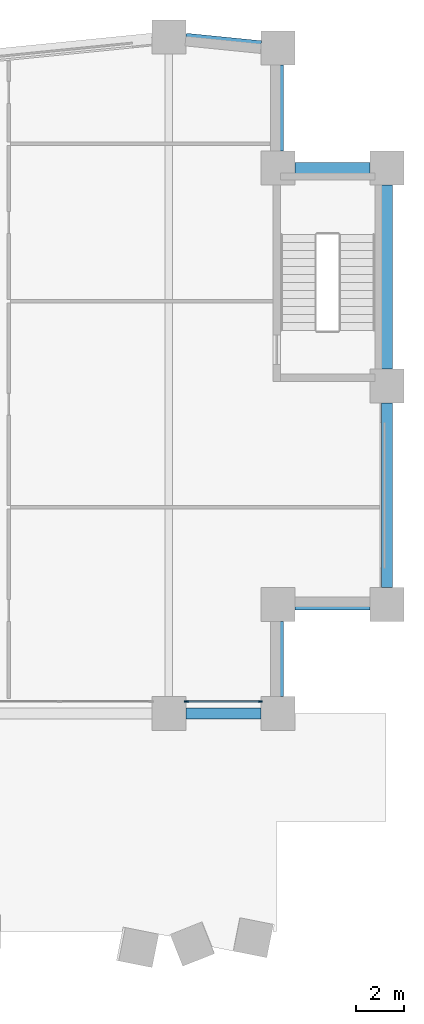
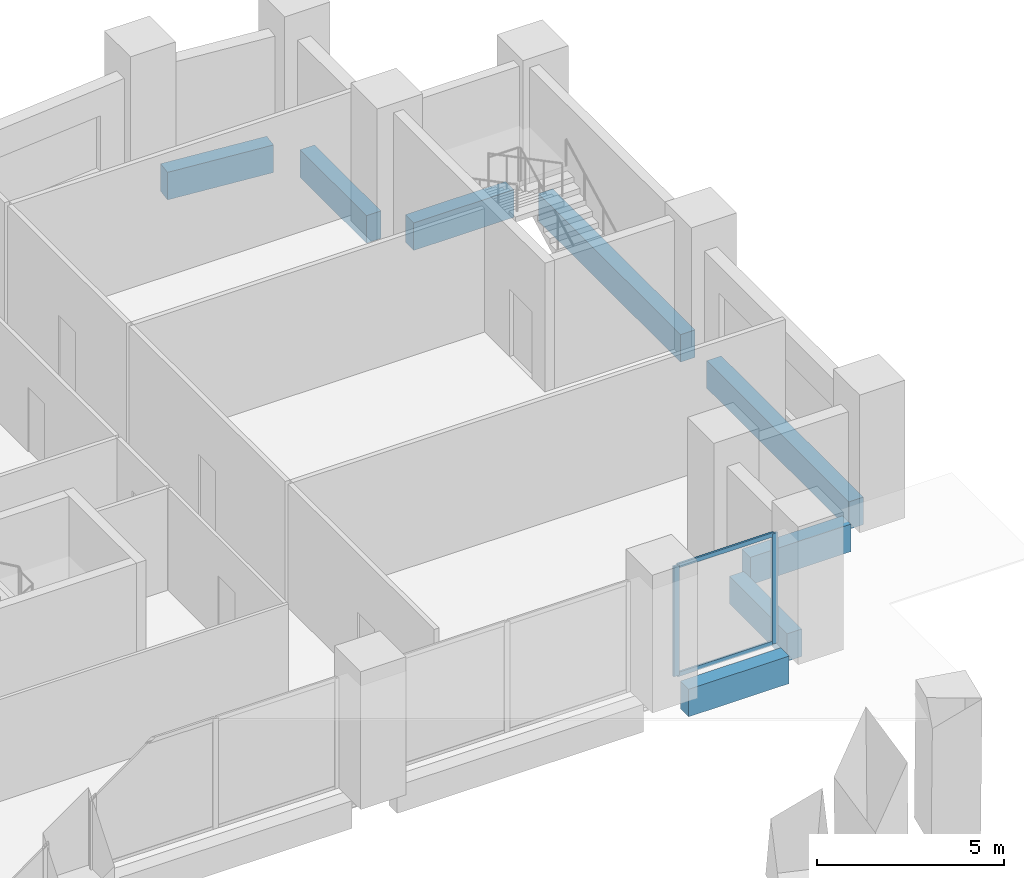
# One storey, part 8 of 18: 8 beams, 4 members, 1 element without a shape of its own.
"""IFC4 building model written with IfcOpenShell, lengths in metres."""

from ifc_helpers import new_model, si_unit, direction, frame, origin, origin_2d, place, context, subcontext, project, spatial, rectangle, extrude, material, material_profile, profile_set, type_object, element, aggregate, save


model = new_model("IFC4")

# Units and contexts
model_context = context("Model", 3, precision=1e-05, world=origin(), true_north=direction((0.0, 1.0)))
body_context = subcontext(model_context, "Body", "Model", "MODEL_VIEW")
ifc_project = project(units=[si_unit("LENGTHUNIT", "METRE"), si_unit("AREAUNIT", "SQUARE_METRE"), si_unit("VOLUMEUNIT", "CUBIC_METRE"), si_unit("PLANEANGLEUNIT", "RADIAN"), si_unit("MASSUNIT", "GRAM", prefix="KILO")], contexts=[model_context])

# Site, building, storey
site_placement = place(None, origin())
site = spatial("IfcSite", under=ifc_project, at=site_placement, CompositionType="ELEMENT")
building_placement = place(site_placement, origin())
building = spatial("IfcBuilding", under=site, at=building_placement, Name="Brondeck Convention Tower", CompositionType="ELEMENT")
storey_placement = place(building_placement, frame((0.0, 0.0, 27.5)))
storey = spatial("IfcBuildingStorey", under=building, at=storey_placement, Name="L04", CompositionType="ELEMENT", Elevation=27.5)

# Curtain wall, members
ifc_material_1 = material(Name="Aluminium, bronze anodised", Category="aluminium")
curtain_wall_type = type_object("IfcCurtainWallType", Name="Podium hall curtain wall", PredefinedType="NOTDEFINED", material=ifc_material_1)
curtain_wall_placement = place(storey_placement, origin())
curtain_wall = element("IfcCurtainWall", 1, at=curtain_wall_placement, inside=storey, type_object=curtain_wall_type, Name="ENV-CW2-L04-A-S-08", PredefinedType="NOTDEFINED")
ifc_material_profile_1 = material_profile(ifc_material_1, rectangle(XDim=0.06005859375, YDim=0.179931640625, at=origin_2d()), Name="CW2 mullion")
ifc_profile_set_1 = profile_set([ifc_material_profile_1], Name="Aluminium, bronze anodised")
member_type_1 = type_object("IfcMemberType", Name="CW2 mullion", PredefinedType="MULLION", material=ifc_profile_set_1)
member_1_placement = place(storey_placement, frame((66.77001953125, 36.5, 0.0), z_axis=(0.0, 0.0, 1.0), x_axis=(0.0, -1.0, 0.0)))
member_1 = element("IfcMember", 2, at=member_1_placement, type_object=member_type_1, Name="CW2 mullion 1", PredefinedType="MULLION", context=body_context, shape_type="SweptSolid", body=[
    extrude(rectangle(XDim=0.06005859375, YDim=0.179931640625, at=origin_2d()), origin(), (0.0, 0.0, 1.0), 3.60009765625),
])
member_2_placement = place(storey_placement, frame((63.72998046875, 36.5, 0.0), z_axis=(0.0, 0.0, 1.0), x_axis=(0.0, -1.0, 0.0)))
member_2 = element("IfcMember", 3, at=member_2_placement, type_object=member_type_1, Name="CW2 mullion 2", PredefinedType="MULLION", context=body_context, shape_type="SweptSolid", body=[
    extrude(rectangle(XDim=0.06005859375, YDim=0.179931640625, at=origin_2d()), origin(), (0.0, 0.0, 1.0), 3.60009765625),
])
ifc_material_profile_2 = material_profile(ifc_material_1, rectangle(XDim=0.06005859375, YDim=0.139892578125, at=origin_2d()), Name="CW2 transom")
ifc_profile_set_2 = profile_set([ifc_material_profile_2], Name="Aluminium, bronze anodised")
member_type_2 = type_object("IfcMemberType", Name="CW2 transom", PredefinedType="USERDEFINED", material=ifc_profile_set_2)
member_3_placement = place(storey_placement, frame((66.739990234375, 36.5, 0.030029296875), z_axis=(-1.0, 0.0, 0.0), x_axis=(0.0, -1.0, 0.0)))
member_3 = element("IfcMember", 4, at=member_3_placement, type_object=member_type_2, Name="CW2 transom 1.1", ObjectType="TRANSOM", PredefinedType="USERDEFINED", context=body_context, shape_type="SweptSolid", body=[
    extrude(rectangle(XDim=0.06005859375, YDim=0.139892578125, at=origin_2d()), origin(), (0.0, 0.0, 1.0), 2.97998046875),
])
member_4_placement = place(storey_placement, frame((66.739990234375, 36.5, 3.570068359375), z_axis=(-1.0, 0.0, 0.0), x_axis=(0.0, -1.0, 0.0)))
member_4 = element("IfcMember", 5, at=member_4_placement, type_object=member_type_2, Name="CW2 transom 1.2", ObjectType="TRANSOM", PredefinedType="USERDEFINED", context=body_context, shape_type="SweptSolid", body=[
    extrude(rectangle(XDim=0.06005859375, YDim=0.139892578125, at=origin_2d()), origin(), (0.0, 0.0, 1.0), 2.97998046875),
])
aggregate(curtain_wall, [member_1, member_2, member_3, member_4])

# Beams
ifc_material_2 = material(Name="Concrete C80/95", Category="concrete")
ifc_material_profile_3 = material_profile(ifc_material_2, rectangle(XDim=0.449951171875, YDim=0.89990234375, at=origin_2d()), Name="Edge beam 450x900 Concrete C80/95")
ifc_profile_set_3 = profile_set([ifc_material_profile_3], Name="Concrete C80/95")
beam_type = type_object("IfcBeamType", Name="Edge beam 450x900 Concrete C80/95", PredefinedType="BEAM", material=ifc_profile_set_3)
for number, where, z_axis, x_axis, name in (
    (6, (63.699951171875, 36.0, -0.449951171875), (1.0, 0.0, 0.0), (0.0, 1.0, 0.0), "STR-SP-L04-013"),
    (7, (67.5, 36.699951171875, -0.449951171875), (0.0, 1.0, 0.0), (-1.0, 0.0, 0.0), "STR-SP-L04-014"),
    (8, (68.199951171875, 40.5, -0.449951171875), (1.0, 0.0, 0.0), (0.0, 1.0, 0.0), "STR-SP-L04-015"),
):
    element("IfcBeam", number, at=place(storey_placement, frame(where, z_axis=z_axis, x_axis=x_axis)), inside=storey, type_object=beam_type, Name=name, PredefinedType="BEAM", context=body_context, shape_type="SweptSolid", body=[
        extrude(rectangle(XDim=0.449951171875, YDim=0.89990234375, at=origin_2d()), origin(), (0.0, 0.0, 1.0), 3.10009765625),
    ])
for number, where, z_axis, x_axis, name in (
    (9, (72.0, 41.199951171875, -0.449951171875), (0.0, 1.0, 0.0), (-1.0, 0.0, 0.0), "STR-SP-L04-016"),
    (10, (72.0, 50.199951171875, -0.449951171875), (0.0, 1.0, 0.0), (-1.0, 0.0, 0.0), "STR-SP-L04-017"),
):
    element("IfcBeam", number, at=place(storey_placement, frame(where, z_axis=z_axis, x_axis=x_axis)), inside=storey, type_object=beam_type, Name=name, PredefinedType="BEAM", context=body_context, shape_type="SweptSolid", body=[
        extrude(rectangle(XDim=0.449951171875, YDim=0.89990234375, at=origin_2d()), origin(), (0.0, 0.0, 1.0), 7.60009765625),
    ])
beam_1_placement = place(storey_placement, frame((71.300048828125, 58.5, -0.449951171875), z_axis=(-1.0, 0.0, 0.0), x_axis=(0.0, -1.0, 0.0)))
element("IfcBeam", 11, at=beam_1_placement, inside=storey, type_object=beam_type, Name="STR-SP-L04-018", PredefinedType="BEAM", context=body_context, shape_type="SweptSolid", body=[
    extrude(rectangle(XDim=0.449951171875, YDim=0.89990234375, at=origin_2d()), origin(), (0.0, 0.0, 1.0), 3.10009765625),
])
beam_2_placement = place(storey_placement, frame((67.5, 59.199951171875, -0.449951171875), z_axis=(0.0, 1.0, 0.0), x_axis=(-1.0, 0.0, 0.0)))
element("IfcBeam", 12, at=beam_2_placement, inside=storey, type_object=beam_type, Name="STR-SP-L04-019", PredefinedType="BEAM", context=body_context, shape_type="SweptSolid", body=[
    extrude(rectangle(XDim=0.449951171875, YDim=0.89990234375, at=origin_2d()), origin(), (0.0, 0.0, 1.0), 3.550048828125),
])
beam_3_placement = place(storey_placement, frame((66.800048828125, 63.52001953125, -0.449951171875), z_axis=(-0.995035638374, 0.099519236158, 0.0), x_axis=(-0.099519236158, -0.995035638374, 0.0)))
element("IfcBeam", 13, at=beam_3_placement, inside=storey, type_object=beam_type, Name="STR-SP-L04-020", PredefinedType="BEAM", context=body_context, shape_type="SweptSolid", body=[
    extrude(rectangle(XDim=0.449951171875, YDim=0.89990234375, at=origin_2d()), origin(), (0.0, 0.0, 1.0), 3.115478515625),
])

save(model, "model.ifc")
